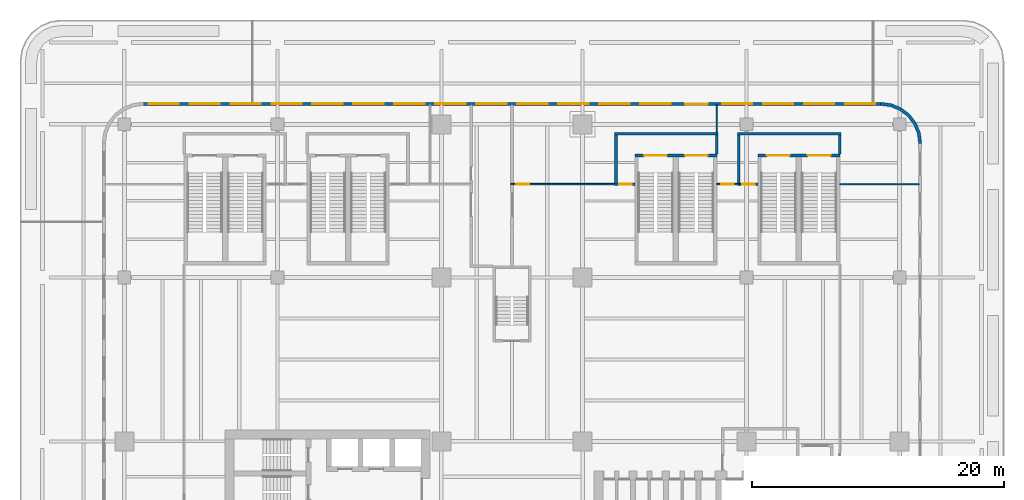
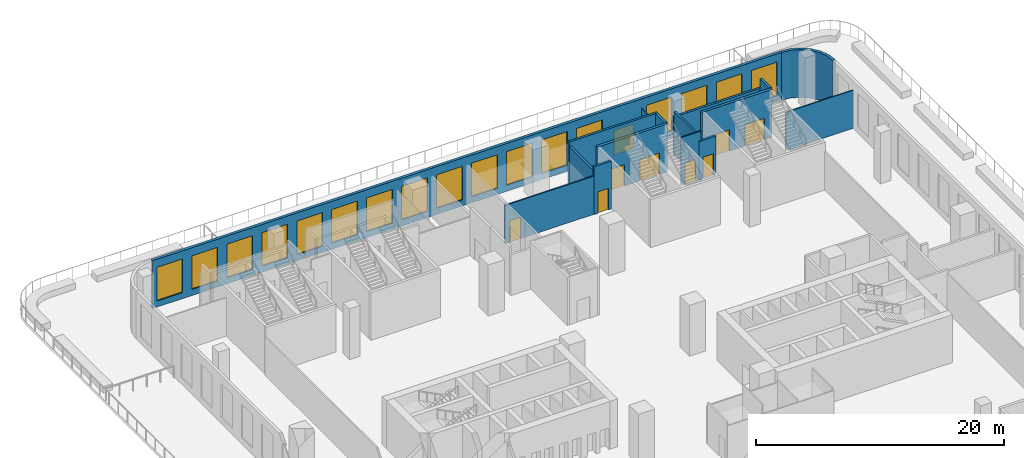
# One storey, part 13 of 17: 17 windows, 16 walls, 9 doors, 26 openings.
"""IFC4 building model written with IfcOpenShell, lengths in metres."""

from ifc_helpers import new_model, si_unit, direction, frame, frame_2d, origin, place, context, subcontext, project, spatial, polyline, rectangle, outline, extrude, source, transform, mapped, material, layer, layer_set, type_object, element, fill, save


model = new_model("IFC4")

# Units and contexts
model_context = context("Model", 3, precision=1e-05, world=origin(), true_north=direction((0.0, 1.0)))
body_context = subcontext(model_context, "Body", "Model", "MODEL_VIEW")
ifc_project = project(units=[si_unit("LENGTHUNIT", "METRE"), si_unit("AREAUNIT", "SQUARE_METRE"), si_unit("VOLUMEUNIT", "CUBIC_METRE"), si_unit("PLANEANGLEUNIT", "RADIAN"), si_unit("MASSUNIT", "GRAM", prefix="KILO")], contexts=[model_context])

# Site, building, storey
site_placement = place(None, origin())
site = spatial("IfcSite", under=ifc_project, at=site_placement, CompositionType="ELEMENT")
building_placement = place(site_placement, origin())
building = spatial("IfcBuilding", under=site, at=building_placement, Name="Trellis Farm Tower", CompositionType="ELEMENT")
storey_placement = place(building_placement, frame((0.0, 0.0, 24.0)))
storey = spatial("IfcBuildingStorey", under=building, at=storey_placement, Name="L04", CompositionType="ELEMENT", Elevation=24.0)

# Wall
ifc_material_1 = material(Name="Sandstone faced insulated wall", Category="masonry")
ifc_layer_1 = layer(ifc_material_1, 0.25)
ifc_layer_set_1 = layer_set([ifc_layer_1], Name="STONE CLAD EXTERNAL WALL 250")
wall_type_1 = type_object("IfcWallType", Name="STONE CLAD EXTERNAL WALL 250", PredefinedType="SOLIDWALL", material=ifc_layer_set_1)
wall_1_placement = place(storey_placement, origin())
element("IfcWall", 1, at=wall_1_placement, inside=storey, type_object=wall_type_1, Name="EW5 C01", PredefinedType="SOLIDWALL", context=body_context, shape_type="SweptSolid", body=[
    extrude(outline(polyline([(32.5, 29.25), (32.38916015625, 30.091064453125), (32.064697265625, 30.875), (31.548095703125, 31.548095703125), (30.875, 32.064697265625), (30.091064453125, 32.38916015625), (29.25, 32.5), (29.233642578125, 32.25), (30.02587890625, 32.145751953125), (30.7490234375, 31.84619140625), (31.369873046875, 31.369873046875), (31.84619140625, 30.7490234375), (32.145751953125, 30.02587890625), (32.25, 29.233642578125), (32.5, 29.25)])), origin(), (0.0, 0.0, 1.0), 4.699951171875),
])

# Wall, openings, doors
ifc_material_2 = material(Name="Concrete C80/95", Category="concrete")
ifc_layer_2 = layer(ifc_material_2, 0.25)
ifc_layer_set_2 = layer_set([ifc_layer_2], Name="CORE STAIR ENCLOSURE WALL 250 CONCRETE C80/95")
wall_type_2 = type_object("IfcWallType", Name="CORE STAIR ENCLOSURE WALL 250 CONCRETE C80/95", PredefinedType="SHEAR", material=ifc_layer_set_2)
shared_shape_1 = source(origin(), body_context, "Body", "SweptSolid", [
    extrude(rectangle(XDim=6.5, YDim=0.25, at=frame_2d((3.25, 0.0))), origin(), (0.0, 0.0, 1.0), 4.699951171875),
])
wall_2_placement = place(storey_placement, frame((9.75, 28.27490234375, 0.0), z_axis=(0.0, 0.0, 1.0), x_axis=(1.0, 0.0, 0.0)))
wall_2 = element("IfcWall", 2, at=wall_2_placement, inside=storey, type_object=wall_type_2, Name="Podium stair enclosure wall", PredefinedType="SHEAR", context=body_context, shape_type="MappedRepresentation", body=[
    mapped(shared_shape_1, transform((0.0, 0.0, 0.0))),
])
shared_shape_2 = source(origin(), body_context, "Body", "SweptSolid", [
    extrude(rectangle(XDim=1.800048828125, YDim=2.10009765625, at=frame_2d((0.89990234375, 1.050048828125))), frame((0.0, 0.135009765625, 0.0), z_axis=(0.0, -1.0, 0.0), x_axis=(1.0, 0.0, 0.0)), (0.0, 0.0, 1.0), 0.27001953125),
])
opening_1_placement = place(wall_2_placement, frame((0.72509765625, 0.0, 0.0)))
opening_1 = element("IfcOpeningElement", 3, at=opening_1_placement, cuts=wall_2, Name="Opening DP5", PredefinedType="OPENING", context=body_context, shape_type="MappedRepresentation", body=[
    mapped(shared_shape_2, transform((0.0, 0.0, 0.0))),
])
opening_2_placement = place(wall_2_placement, frame((3.97509765625, 0.0, 0.0)))
opening_2 = element("IfcOpeningElement", 4, at=opening_2_placement, cuts=wall_2, Name="Opening DP6", PredefinedType="OPENING", context=body_context, shape_type="MappedRepresentation", body=[
    mapped(shared_shape_2, transform((0.0, 0.0, 0.0))),
])
ifc_material_3 = material(Name="Steel", Category="steel")
door_type_1 = type_object("IfcDoorType", Name="CORE FIRE DOOR DOUBLE 1800 X 2100", OperationType="DOUBLE_DOOR_SINGLE_SWING", PredefinedType="DOOR", material=ifc_material_3)
shared_shape_3 = source(origin(), body_context, "Body", "SweptSolid", [
    extrude(rectangle(XDim=1.800048828125, YDim=2.10009765625, at=frame_2d((0.89990234375, 1.050048828125))), frame((0.0, 0.02490234375, 0.0), z_axis=(0.0, -1.0, 0.0), x_axis=(1.0, 0.0, 0.0)), (0.0, 0.0, 1.0), 0.050048828125),
])
door_1_placement = place(opening_1_placement, origin())
door_1 = element("IfcDoor", 5, at=door_1_placement, inside=storey, type_object=door_type_1, Name="Podium stair door", OperationType="DOUBLE_DOOR_SINGLE_SWING", OverallHeight=2.10009765625, OverallWidth=1.800048828125, PredefinedType="DOOR", context=body_context, shape_type="MappedRepresentation", body=[
    mapped(shared_shape_3, transform((0.0, 0.0, 0.0))),
])
fill(opening_1, door_1)
door_2_placement = place(opening_2_placement, origin())
door_2 = element("IfcDoor", 6, at=door_2_placement, inside=storey, type_object=door_type_1, Name="Podium stair door", OperationType="DOUBLE_DOOR_SINGLE_SWING", OverallHeight=2.10009765625, OverallWidth=1.800048828125, PredefinedType="DOOR", context=body_context, shape_type="MappedRepresentation", body=[
    mapped(shared_shape_3, transform((0.0, 0.0, 0.0))),
])
fill(opening_2, door_2)

wall_3_placement = place(storey_placement, frame((19.5, 28.27490234375, 0.0), z_axis=(0.0, 0.0, 1.0), x_axis=(1.0, 0.0, 0.0)))
wall_3 = element("IfcWall", 7, at=wall_3_placement, inside=storey, type_object=wall_type_2, Name="Podium stair enclosure wall", PredefinedType="SHEAR", context=body_context, shape_type="MappedRepresentation", body=[
    mapped(shared_shape_1, transform((0.0, 0.0, 0.0))),
])
opening_3_placement = place(wall_3_placement, frame((0.72509765625, 0.0, 0.0)))
opening_3 = element("IfcOpeningElement", 8, at=opening_3_placement, cuts=wall_3, Name="Opening DP7", PredefinedType="OPENING", context=body_context, shape_type="MappedRepresentation", body=[
    mapped(shared_shape_2, transform((0.0, 0.0, 0.0))),
])
opening_4_placement = place(wall_3_placement, frame((3.97509765625, 0.0, 0.0)))
opening_4 = element("IfcOpeningElement", 9, at=opening_4_placement, cuts=wall_3, Name="Opening DP8", PredefinedType="OPENING", context=body_context, shape_type="MappedRepresentation", body=[
    mapped(shared_shape_2, transform((0.0, 0.0, 0.0))),
])
door_3_placement = place(opening_3_placement, origin())
door_3 = element("IfcDoor", 10, at=door_3_placement, inside=storey, type_object=door_type_1, Name="Podium stair door", OperationType="DOUBLE_DOOR_SINGLE_SWING", OverallHeight=2.10009765625, OverallWidth=1.800048828125, PredefinedType="DOOR", context=body_context, shape_type="MappedRepresentation", body=[
    mapped(shared_shape_3, transform((0.0, 0.0, 0.0))),
])
fill(opening_3, door_3)
door_4_placement = place(opening_4_placement, origin())
door_4 = element("IfcDoor", 11, at=door_4_placement, inside=storey, type_object=door_type_1, Name="Podium stair door", OperationType="DOUBLE_DOOR_SINGLE_SWING", OverallHeight=2.10009765625, OverallWidth=1.800048828125, PredefinedType="DOOR", context=body_context, shape_type="MappedRepresentation", body=[
    mapped(shared_shape_3, transform((0.0, 0.0, 0.0))),
])
fill(opening_4, door_4)

# Wall, openings, door, windows
shared_shape_4 = source(origin(), body_context, "Body", "SweptSolid", [
    extrude(rectangle(XDim=58.5, YDim=0.25, at=frame_2d((29.25, 0.0))), origin(), (0.0, 0.0, 1.0), 4.699951171875),
])
wall_4_placement = place(storey_placement, frame((29.25, 32.375, 0.0), z_axis=(0.0, 0.0, 1.0), x_axis=(-1.0, 0.0, 0.0)))
wall_4 = element("IfcWall", 12, at=wall_4_placement, inside=storey, type_object=wall_type_1, Name="EW5 F02", PredefinedType="SOLIDWALL", context=body_context, shape_type="MappedRepresentation", body=[
    mapped(shared_shape_4, transform((0.0, 0.0, 0.0))),
])
shared_shape_5 = source(origin(), body_context, "Body", "SweptSolid", [
    extrude(rectangle(XDim=2.39990234375, YDim=3.300048828125, at=frame_2d((1.199951171875, 1.64990234375))), frame((0.0, 0.135009765625, 0.0), z_axis=(0.0, -1.0, 0.0), x_axis=(1.0, 0.0, 0.0)), (0.0, 0.0, 1.0), 0.27001953125),
])
opening_5_placement = place(wall_4_placement, frame((0.425048828125, 0.0, 0.60009765625)))
opening_5 = element("IfcOpeningElement", 13, at=opening_5_placement, cuts=wall_4, Name="Opening WN3", PredefinedType="OPENING", context=body_context, shape_type="MappedRepresentation", body=[
    mapped(shared_shape_5, transform((0.0, 0.0, 0.0))),
])
opening_6_placement = place(wall_4_placement, frame((3.675048828125, 0.0, 0.60009765625)))
opening_6 = element("IfcOpeningElement", 14, at=opening_6_placement, cuts=wall_4, Name="Opening WN3", PredefinedType="OPENING", context=body_context, shape_type="MappedRepresentation", body=[
    mapped(shared_shape_5, transform((0.0, 0.0, 0.0))),
])
opening_7_placement = place(wall_4_placement, frame((6.925048828125, 0.0, 0.60009765625)))
opening_7 = element("IfcOpeningElement", 15, at=opening_7_placement, cuts=wall_4, Name="Opening WN3", PredefinedType="OPENING", context=body_context, shape_type="MappedRepresentation", body=[
    mapped(shared_shape_5, transform((0.0, 0.0, 0.0))),
])
opening_8_placement = place(wall_4_placement, frame((10.175048828125, 0.0, 0.60009765625)))
opening_8 = element("IfcOpeningElement", 16, at=opening_8_placement, cuts=wall_4, Name="Opening WN3", PredefinedType="OPENING", context=body_context, shape_type="MappedRepresentation", body=[
    mapped(shared_shape_5, transform((0.0, 0.0, 0.0))),
])
shared_shape_6 = source(origin(), body_context, "Body", "SweptSolid", [
    extrude(rectangle(XDim=1.800048828125, YDim=2.39990234375, at=frame_2d((0.89990234375, 1.199951171875))), frame((0.0, 0.135009765625, 0.0), z_axis=(0.0, -1.0, 0.0), x_axis=(1.0, 0.0, 0.0)), (0.0, 0.0, 1.0), 0.27001953125),
])
opening_9_placement = place(wall_4_placement, frame((13.72509765625, 0.0, 0.0)))
opening_9 = element("IfcOpeningElement", 17, at=opening_9_placement, cuts=wall_4, Name="Opening ED1", PredefinedType="OPENING", context=body_context, shape_type="MappedRepresentation", body=[
    mapped(shared_shape_6, transform((0.0, 0.0, 0.0))),
])
opening_10_placement = place(wall_4_placement, frame((16.675048828125, 0.0, 0.60009765625)))
opening_10 = element("IfcOpeningElement", 18, at=opening_10_placement, cuts=wall_4, Name="Opening WN3", PredefinedType="OPENING", context=body_context, shape_type="MappedRepresentation", body=[
    mapped(shared_shape_5, transform((0.0, 0.0, 0.0))),
])
opening_11_placement = place(wall_4_placement, frame((19.925048828125, 0.0, 0.60009765625)))
opening_11 = element("IfcOpeningElement", 19, at=opening_11_placement, cuts=wall_4, Name="Opening WN3", PredefinedType="OPENING", context=body_context, shape_type="MappedRepresentation", body=[
    mapped(shared_shape_5, transform((0.0, 0.0, 0.0))),
])
opening_12_placement = place(wall_4_placement, frame((23.175048828125, 0.0, 0.60009765625)))
opening_12 = element("IfcOpeningElement", 20, at=opening_12_placement, cuts=wall_4, Name="Opening WN3", PredefinedType="OPENING", context=body_context, shape_type="MappedRepresentation", body=[
    mapped(shared_shape_5, transform((0.0, 0.0, 0.0))),
])
opening_13_placement = place(wall_4_placement, frame((26.425048828125, 0.0, 0.60009765625)))
opening_13 = element("IfcOpeningElement", 21, at=opening_13_placement, cuts=wall_4, Name="Opening WN3", PredefinedType="OPENING", context=body_context, shape_type="MappedRepresentation", body=[
    mapped(shared_shape_5, transform((0.0, 0.0, 0.0))),
])
opening_14_placement = place(wall_4_placement, frame((29.675048828125, 0.0, 0.60009765625)))
opening_14 = element("IfcOpeningElement", 22, at=opening_14_placement, cuts=wall_4, Name="Opening WN3", PredefinedType="OPENING", context=body_context, shape_type="MappedRepresentation", body=[
    mapped(shared_shape_5, transform((0.0, 0.0, 0.0))),
])
opening_15_placement = place(wall_4_placement, frame((32.925048828125, 0.0, 0.60009765625)))
opening_15 = element("IfcOpeningElement", 23, at=opening_15_placement, cuts=wall_4, Name="Opening WN3", PredefinedType="OPENING", context=body_context, shape_type="MappedRepresentation", body=[
    mapped(shared_shape_5, transform((0.0, 0.0, 0.0))),
])
opening_16_placement = place(wall_4_placement, frame((36.175048828125, 0.0, 0.60009765625)))
opening_16 = element("IfcOpeningElement", 24, at=opening_16_placement, cuts=wall_4, Name="Opening WN3", PredefinedType="OPENING", context=body_context, shape_type="MappedRepresentation", body=[
    mapped(shared_shape_5, transform((0.0, 0.0, 0.0))),
])
opening_17_placement = place(wall_4_placement, frame((39.425048828125, 0.0, 0.60009765625)))
opening_17 = element("IfcOpeningElement", 25, at=opening_17_placement, cuts=wall_4, Name="Opening WN3", PredefinedType="OPENING", context=body_context, shape_type="MappedRepresentation", body=[
    mapped(shared_shape_5, transform((0.0, 0.0, 0.0))),
])
opening_18_placement = place(wall_4_placement, frame((42.675048828125, 0.0, 0.60009765625)))
opening_18 = element("IfcOpeningElement", 26, at=opening_18_placement, cuts=wall_4, Name="Opening WN3", PredefinedType="OPENING", context=body_context, shape_type="MappedRepresentation", body=[
    mapped(shared_shape_5, transform((0.0, 0.0, 0.0))),
])
opening_19_placement = place(wall_4_placement, frame((45.925048828125, 0.0, 0.60009765625)))
opening_19 = element("IfcOpeningElement", 27, at=opening_19_placement, cuts=wall_4, Name="Opening WN3", PredefinedType="OPENING", context=body_context, shape_type="MappedRepresentation", body=[
    mapped(shared_shape_5, transform((0.0, 0.0, 0.0))),
])
opening_20_placement = place(wall_4_placement, frame((49.175048828125, 0.0, 0.60009765625)))
opening_20 = element("IfcOpeningElement", 28, at=opening_20_placement, cuts=wall_4, Name="Opening WN3", PredefinedType="OPENING", context=body_context, shape_type="MappedRepresentation", body=[
    mapped(shared_shape_5, transform((0.0, 0.0, 0.0))),
])
opening_21_placement = place(wall_4_placement, frame((52.425048828125, 0.0, 0.60009765625)))
opening_21 = element("IfcOpeningElement", 29, at=opening_21_placement, cuts=wall_4, Name="Opening WN3", PredefinedType="OPENING", context=body_context, shape_type="MappedRepresentation", body=[
    mapped(shared_shape_5, transform((0.0, 0.0, 0.0))),
])
opening_22_placement = place(wall_4_placement, frame((55.675048828125, 0.0, 0.60009765625)))
opening_22 = element("IfcOpeningElement", 30, at=opening_22_placement, cuts=wall_4, Name="Opening WN3", PredefinedType="OPENING", context=body_context, shape_type="MappedRepresentation", body=[
    mapped(shared_shape_5, transform((0.0, 0.0, 0.0))),
])
ifc_material_4 = material(Name="Aluminium framed glazed door", Category="aluminium")
door_type_2 = type_object("IfcDoorType", Name="BALCONY DOOR 1800x2400", OperationType="DOUBLE_DOOR_SINGLE_SWING", PredefinedType="DOOR", material=ifc_material_4)
shared_shape_7 = source(origin(), body_context, "Body", "SweptSolid", [
    extrude(rectangle(XDim=1.800048828125, YDim=2.39990234375, at=frame_2d((0.89990234375, 1.199951171875))), frame((0.0, 0.02490234375, 0.0), z_axis=(0.0, -1.0, 0.0), x_axis=(1.0, 0.0, 0.0)), (0.0, 0.0, 1.0), 0.050048828125),
])
door_5_placement = place(opening_9_placement, origin())
door_5 = element("IfcDoor", 31, at=door_5_placement, inside=storey, type_object=door_type_2, Name="Balcony door", OperationType="DOUBLE_DOOR_SINGLE_SWING", OverallHeight=2.39990234375, OverallWidth=1.800048828125, PredefinedType="DOOR", context=body_context, shape_type="MappedRepresentation", body=[
    mapped(shared_shape_7, transform((0.0, 0.0, 0.0))),
])
fill(opening_9, door_5)
ifc_material_5 = material(Name="Clear insulated glass", Category="glass")
window_type = type_object("IfcWindowType", Name="PODIUM WINDOW 2400x3300", PartitioningType="SINGLE_PANEL", PredefinedType="WINDOW", material=ifc_material_5)
shared_shape_8 = source(origin(), body_context, "Body", "SweptSolid", [
    extrude(rectangle(XDim=2.39990234375, YDim=3.300048828125, at=frame_2d((1.199951171875, 1.64990234375))), frame((0.0, 0.030029296875, 0.0), z_axis=(0.0, -1.0, 0.0), x_axis=(1.0, 0.0, 0.0)), (0.0, 0.0, 1.0), 0.06005859375),
])
window_1_placement = place(opening_5_placement, origin())
window_1 = element("IfcWindow", 32, at=window_1_placement, inside=storey, type_object=window_type, Name="WN3 019", OverallHeight=3.300048828125, OverallWidth=2.39990234375, PartitioningType="SINGLE_PANEL", PredefinedType="WINDOW", context=body_context, shape_type="MappedRepresentation", body=[
    mapped(shared_shape_8, transform((0.0, 0.0, 0.0))),
])
fill(opening_5, window_1)
window_2_placement = place(opening_6_placement, origin())
window_2 = element("IfcWindow", 33, at=window_2_placement, inside=storey, type_object=window_type, Name="WN3 020", OverallHeight=3.300048828125, OverallWidth=2.39990234375, PartitioningType="SINGLE_PANEL", PredefinedType="WINDOW", context=body_context, shape_type="MappedRepresentation", body=[
    mapped(shared_shape_8, transform((0.0, 0.0, 0.0))),
])
fill(opening_6, window_2)
window_3_placement = place(opening_7_placement, origin())
window_3 = element("IfcWindow", 34, at=window_3_placement, inside=storey, type_object=window_type, Name="WN3 021", OverallHeight=3.300048828125, OverallWidth=2.39990234375, PartitioningType="SINGLE_PANEL", PredefinedType="WINDOW", context=body_context, shape_type="MappedRepresentation", body=[
    mapped(shared_shape_8, transform((0.0, 0.0, 0.0))),
])
fill(opening_7, window_3)
window_4_placement = place(opening_8_placement, origin())
window_4 = element("IfcWindow", 35, at=window_4_placement, inside=storey, type_object=window_type, Name="WN3 022", OverallHeight=3.300048828125, OverallWidth=2.39990234375, PartitioningType="SINGLE_PANEL", PredefinedType="WINDOW", context=body_context, shape_type="MappedRepresentation", body=[
    mapped(shared_shape_8, transform((0.0, 0.0, 0.0))),
])
fill(opening_8, window_4)
window_5_placement = place(opening_10_placement, origin())
window_5 = element("IfcWindow", 36, at=window_5_placement, inside=storey, type_object=window_type, Name="WN3 023", OverallHeight=3.300048828125, OverallWidth=2.39990234375, PartitioningType="SINGLE_PANEL", PredefinedType="WINDOW", context=body_context, shape_type="MappedRepresentation", body=[
    mapped(shared_shape_8, transform((0.0, 0.0, 0.0))),
])
fill(opening_10, window_5)
window_6_placement = place(opening_11_placement, origin())
window_6 = element("IfcWindow", 37, at=window_6_placement, inside=storey, type_object=window_type, Name="WN3 024", OverallHeight=3.300048828125, OverallWidth=2.39990234375, PartitioningType="SINGLE_PANEL", PredefinedType="WINDOW", context=body_context, shape_type="MappedRepresentation", body=[
    mapped(shared_shape_8, transform((0.0, 0.0, 0.0))),
])
fill(opening_11, window_6)
window_7_placement = place(opening_12_placement, origin())
window_7 = element("IfcWindow", 38, at=window_7_placement, inside=storey, type_object=window_type, Name="WN3 025", OverallHeight=3.300048828125, OverallWidth=2.39990234375, PartitioningType="SINGLE_PANEL", PredefinedType="WINDOW", context=body_context, shape_type="MappedRepresentation", body=[
    mapped(shared_shape_8, transform((0.0, 0.0, 0.0))),
])
fill(opening_12, window_7)
window_8_placement = place(opening_13_placement, origin())
window_8 = element("IfcWindow", 39, at=window_8_placement, inside=storey, type_object=window_type, Name="WN3 026", OverallHeight=3.300048828125, OverallWidth=2.39990234375, PartitioningType="SINGLE_PANEL", PredefinedType="WINDOW", context=body_context, shape_type="MappedRepresentation", body=[
    mapped(shared_shape_8, transform((0.0, 0.0, 0.0))),
])
fill(opening_13, window_8)
window_9_placement = place(opening_14_placement, origin())
window_9 = element("IfcWindow", 40, at=window_9_placement, inside=storey, type_object=window_type, Name="WN3 027", OverallHeight=3.300048828125, OverallWidth=2.39990234375, PartitioningType="SINGLE_PANEL", PredefinedType="WINDOW", context=body_context, shape_type="MappedRepresentation", body=[
    mapped(shared_shape_8, transform((0.0, 0.0, 0.0))),
])
fill(opening_14, window_9)
window_10_placement = place(opening_15_placement, origin())
window_10 = element("IfcWindow", 41, at=window_10_placement, inside=storey, type_object=window_type, Name="WN3 028", OverallHeight=3.300048828125, OverallWidth=2.39990234375, PartitioningType="SINGLE_PANEL", PredefinedType="WINDOW", context=body_context, shape_type="MappedRepresentation", body=[
    mapped(shared_shape_8, transform((0.0, 0.0, 0.0))),
])
fill(opening_15, window_10)
window_11_placement = place(opening_16_placement, origin())
window_11 = element("IfcWindow", 42, at=window_11_placement, inside=storey, type_object=window_type, Name="WN3 029", OverallHeight=3.300048828125, OverallWidth=2.39990234375, PartitioningType="SINGLE_PANEL", PredefinedType="WINDOW", context=body_context, shape_type="MappedRepresentation", body=[
    mapped(shared_shape_8, transform((0.0, 0.0, 0.0))),
])
fill(opening_16, window_11)
window_12_placement = place(opening_17_placement, origin())
window_12 = element("IfcWindow", 43, at=window_12_placement, inside=storey, type_object=window_type, Name="WN3 030", OverallHeight=3.300048828125, OverallWidth=2.39990234375, PartitioningType="SINGLE_PANEL", PredefinedType="WINDOW", context=body_context, shape_type="MappedRepresentation", body=[
    mapped(shared_shape_8, transform((0.0, 0.0, 0.0))),
])
fill(opening_17, window_12)
window_13_placement = place(opening_18_placement, origin())
window_13 = element("IfcWindow", 44, at=window_13_placement, inside=storey, type_object=window_type, Name="WN3 031", OverallHeight=3.300048828125, OverallWidth=2.39990234375, PartitioningType="SINGLE_PANEL", PredefinedType="WINDOW", context=body_context, shape_type="MappedRepresentation", body=[
    mapped(shared_shape_8, transform((0.0, 0.0, 0.0))),
])
fill(opening_18, window_13)
window_14_placement = place(opening_19_placement, origin())
window_14 = element("IfcWindow", 45, at=window_14_placement, inside=storey, type_object=window_type, Name="WN3 032", OverallHeight=3.300048828125, OverallWidth=2.39990234375, PartitioningType="SINGLE_PANEL", PredefinedType="WINDOW", context=body_context, shape_type="MappedRepresentation", body=[
    mapped(shared_shape_8, transform((0.0, 0.0, 0.0))),
])
fill(opening_19, window_14)
window_15_placement = place(opening_20_placement, origin())
window_15 = element("IfcWindow", 46, at=window_15_placement, inside=storey, type_object=window_type, Name="WN3 033", OverallHeight=3.300048828125, OverallWidth=2.39990234375, PartitioningType="SINGLE_PANEL", PredefinedType="WINDOW", context=body_context, shape_type="MappedRepresentation", body=[
    mapped(shared_shape_8, transform((0.0, 0.0, 0.0))),
])
fill(opening_20, window_15)
window_16_placement = place(opening_21_placement, origin())
window_16 = element("IfcWindow", 47, at=window_16_placement, inside=storey, type_object=window_type, Name="WN3 034", OverallHeight=3.300048828125, OverallWidth=2.39990234375, PartitioningType="SINGLE_PANEL", PredefinedType="WINDOW", context=body_context, shape_type="MappedRepresentation", body=[
    mapped(shared_shape_8, transform((0.0, 0.0, 0.0))),
])
fill(opening_21, window_16)
window_17_placement = place(opening_22_placement, origin())
window_17 = element("IfcWindow", 48, at=window_17_placement, inside=storey, type_object=window_type, Name="WN3 035", OverallHeight=3.300048828125, OverallWidth=2.39990234375, PartitioningType="SINGLE_PANEL", PredefinedType="WINDOW", context=body_context, shape_type="MappedRepresentation", body=[
    mapped(shared_shape_8, transform((0.0, 0.0, 0.0))),
])
fill(opening_22, window_17)

# Walls
ifc_material_6 = material(Name="Lightweight blockwork, plastered", Category="masonry")
ifc_layer_3 = layer(ifc_material_6, 0.199951171875)
ifc_layer_set_3 = layer_set([ifc_layer_3], Name="BLOCK WALL 200 EI 120")
wall_type_3 = type_object("IfcWallType", Name="BLOCK WALL 200 EI 120", PredefinedType="PARTITIONING", material=ifc_layer_set_3)
shared_shape_9 = source(origin(), body_context, "Body", "SweptSolid", [
    extrude(rectangle(XDim=8.2001953125, YDim=0.199951171875, at=frame_2d((4.10009765625, 0.0))), origin(), (0.0, 0.0, 1.0), 4.699951171875),
])
wall_5_placement = place(storey_placement, frame((16.35009765625, 30.0, 0.0), z_axis=(0.0, 0.0, 1.0), x_axis=(-1.0, 0.0, 0.0)))
element("IfcWall", 49, at=wall_5_placement, inside=storey, type_object=wall_type_3, Name="Partition PW3", PredefinedType="PARTITIONING", context=body_context, shape_type="MappedRepresentation", body=[
    mapped(shared_shape_9, transform((0.0, 0.0, 0.0))),
])
shared_shape_10 = source(origin(), body_context, "Body", "SweptSolid", [
    extrude(rectangle(XDim=8.2001953125, YDim=0.199951171875, at=frame_2d((4.10009765625, 0.0))), origin(), (0.0, 0.0, 1.0), 3.76171875),
])
wall_6_placement = place(storey_placement, frame((26.10009765625, 30.0, 0.0), z_axis=(0.0, 0.0, 1.0), x_axis=(-1.0, 0.0, 0.0)))
element("IfcWall", 50, at=wall_6_placement, inside=storey, type_object=wall_type_3, Name="Partition PW3", PredefinedType="PARTITIONING", context=body_context, shape_type="MappedRepresentation", body=[
    mapped(shared_shape_10, transform((0.0, 0.0, 0.0))),
])

# Wall, opening, door
shared_shape_11 = source(origin(), body_context, "Body", "SweptSolid", [
    extrude(rectangle(XDim=1.60009765625, YDim=0.199951171875, at=frame_2d((0.800048828125, 0.0))), origin(), (0.0, 0.0, 1.0), 4.699951171875),
])
wall_7_placement = place(storey_placement, frame((9.75, 26.0, 0.0), z_axis=(0.0, 0.0, 1.0), x_axis=(-1.0, 0.0, 0.0)))
wall_7 = element("IfcWall", 51, at=wall_7_placement, inside=storey, type_object=wall_type_3, Name="Partition PW3", PredefinedType="PARTITIONING", context=body_context, shape_type="MappedRepresentation", body=[
    mapped(shared_shape_11, transform((0.0, 0.0, 0.0))),
])
shared_shape_12 = source(origin(), body_context, "Body", "SweptSolid", [
    extrude(rectangle(XDim=1.0, YDim=2.10009765625, at=frame_2d((0.5, 1.050048828125))), frame((0.0, 0.110107421875, 0.0), z_axis=(0.0, -1.0, 0.0), x_axis=(1.0, 0.0, 0.0)), (0.0, 0.0, 1.0), 0.22021484375),
])
opening_23_placement = place(wall_7_placement, frame((0.25, 0.0, 0.0)))
opening_23 = element("IfcOpeningElement", 52, at=opening_23_placement, cuts=wall_7, Name="Opening D307", PredefinedType="OPENING", context=body_context, shape_type="MappedRepresentation", body=[
    mapped(shared_shape_12, transform((0.0, 0.0, 0.0))),
])
ifc_material_7 = material(Name="Fire-rated timber door leaf in a hollow metal frame", Category="wood")
door_type_3 = type_object("IfcDoorType", Name="DOOR 1000x2100 FD60", OperationType="NOTDEFINED", PredefinedType="DOOR", material=ifc_material_7)
shared_shape_13 = source(origin(), body_context, "Body", "SweptSolid", [
    extrude(rectangle(XDim=1.0, YDim=2.10009765625, at=frame_2d((0.5, 1.050048828125))), frame((0.0, 0.02490234375, 0.0), z_axis=(0.0, -1.0, 0.0), x_axis=(1.0, 0.0, 0.0)), (0.0, 0.0, 1.0), 0.050048828125),
])
door_6_placement = place(opening_23_placement, origin())
door_6 = element("IfcDoor", 53, at=door_6_placement, inside=storey, type_object=door_type_3, Name="Door D307", OperationType="SINGLE_SWING_LEFT", OverallHeight=2.10009765625, OverallWidth=1.0, PredefinedType="DOOR", context=body_context, shape_type="MappedRepresentation", body=[
    mapped(shared_shape_13, transform((0.0, 0.0, 0.0))),
])
fill(opening_23, door_6)

shared_shape_14 = source(origin(), body_context, "Body", "SweptSolid", [
    extrude(rectangle(XDim=1.60009765625, YDim=0.199951171875, at=frame_2d((0.800048828125, 0.0))), origin(), (0.0, 0.0, 1.0), 3.76171875),
])
wall_8_placement = place(storey_placement, frame((19.5, 26.0, 0.0), z_axis=(0.0, 0.0, 1.0), x_axis=(-1.0, 0.0, 0.0)))
wall_8 = element("IfcWall", 54, at=wall_8_placement, inside=storey, type_object=wall_type_3, Name="Partition PW3", PredefinedType="PARTITIONING", context=body_context, shape_type="MappedRepresentation", body=[
    mapped(shared_shape_14, transform((0.0, 0.0, 0.0))),
])
opening_24_placement = place(wall_8_placement, frame((0.25, 0.0, 0.0)))
opening_24 = element("IfcOpeningElement", 55, at=opening_24_placement, cuts=wall_8, Name="Opening D308", PredefinedType="OPENING", context=body_context, shape_type="MappedRepresentation", body=[
    mapped(shared_shape_12, transform((0.0, 0.0, 0.0))),
])
door_7_placement = place(opening_24_placement, origin())
door_7 = element("IfcDoor", 56, at=door_7_placement, inside=storey, type_object=door_type_3, Name="Door D308", OperationType="SINGLE_SWING_LEFT", OverallHeight=2.10009765625, OverallWidth=1.0, PredefinedType="DOOR", context=body_context, shape_type="MappedRepresentation", body=[
    mapped(shared_shape_13, transform((0.0, 0.0, 0.0))),
])
fill(opening_24, door_7)

ifc_material_8 = material(Name="Plasterboard on steel studs, mineral wool", Category="steel")
ifc_layer_4 = layer(ifc_material_8, 0.125)
ifc_layer_set_4 = layer_set([ifc_layer_4], Name="PARTITION 125 STUD EI 60")
wall_type_4 = type_object("IfcWallType", Name="PARTITION 125 STUD EI 60", PredefinedType="PARTITIONING", material=ifc_layer_set_4)
shared_shape_15 = source(origin(), body_context, "Body", "SweptSolid", [
    extrude(rectangle(XDim=8.4501953125, YDim=0.125, at=frame_2d((4.22509765625, 0.0))), origin(), (0.0, 0.0, 1.0), 3.76171875),
])
wall_9_placement = place(storey_placement, frame((-0.10009765625, 26.0, 0.0), z_axis=(0.0, 0.0, 1.0), x_axis=(1.0, 0.0, 0.0)))
wall_9 = element("IfcWall", 57, at=wall_9_placement, inside=storey, type_object=wall_type_4, Name="Partition PW1", PredefinedType="PARTITIONING", context=body_context, shape_type="MappedRepresentation", body=[
    mapped(shared_shape_15, transform((0.0, 0.0, 0.0))),
])
shared_shape_16 = source(origin(), body_context, "Body", "SweptSolid", [
    extrude(rectangle(XDim=1.0, YDim=2.10009765625, at=frame_2d((0.5, 1.050048828125))), frame((0.0, 0.072509765625, 0.0), z_axis=(0.0, -1.0, 0.0), x_axis=(1.0, 0.0, 0.0)), (0.0, 0.0, 1.0), 0.14501953125),
])
opening_25_placement = place(wall_9_placement, frame((0.449951171875, 0.0, 0.0)))
opening_25 = element("IfcOpeningElement", 58, at=opening_25_placement, cuts=wall_9, Name="Opening D107", PredefinedType="OPENING", context=body_context, shape_type="MappedRepresentation", body=[
    mapped(shared_shape_16, transform((0.0, 0.0, 0.0))),
])
door_type_4 = type_object("IfcDoorType", Name="DOOR 1000x2100 FD30S", OperationType="NOTDEFINED", PredefinedType="DOOR", material=ifc_material_7)
door_8_placement = place(opening_25_placement, origin())
door_8 = element("IfcDoor", 59, at=door_8_placement, inside=storey, type_object=door_type_4, Name="Door D107", OperationType="SINGLE_SWING_LEFT", OverallHeight=2.10009765625, OverallWidth=1.0, PredefinedType="DOOR", context=body_context, shape_type="MappedRepresentation", body=[
    mapped(shared_shape_13, transform((0.0, 0.0, 0.0))),
])
fill(opening_25, door_8)

# Walls
shared_shape_17 = source(origin(), body_context, "Body", "SweptSolid", [
    extrude(rectangle(XDim=1.5, YDim=0.199951171875, at=frame_2d((0.75, 0.0))), origin(), (0.0, 0.0, 1.0), 4.699951171875),
])
for number, where, z_axis, x_axis, name in (
    (60, (16.25, 29.89990234375, 0.0), (0.0, 0.0, 1.0), (0.0, -1.0, 0.0), "Partition PW3"),
    (61, (26.0, 29.89990234375, 0.0), (0.0, 0.0, 1.0), (0.0, -1.0, 0.0), "Partition PW3"),
):
    element("IfcWall", number, at=place(storey_placement, frame(where, z_axis=z_axis, x_axis=x_axis)), inside=storey, type_object=wall_type_3, Name=name, PredefinedType="PARTITIONING", context=body_context, shape_type="MappedRepresentation", body=[
        mapped(shared_shape_17, transform((0.0, 0.0, 0.0))),
    ])
shared_shape_18 = source(origin(), body_context, "Body", "SweptSolid", [
    extrude(rectangle(XDim=3.7998046875, YDim=0.199951171875, at=frame_2d((1.89990234375, 0.0))), origin(), (0.0, 0.0, 1.0), 4.273681640625),
])
for number, where, z_axis, x_axis, name in (
    (62, (8.25, 26.10009765625, 0.0), (0.0, 0.0, 1.0), (0.0, 1.0, 0.0), "Partition PW3"),
    (63, (18.0, 29.89990234375, 0.0), (0.0, 0.0, 1.0), (0.0, -1.0, 0.0), "Partition PW3"),
):
    element("IfcWall", number, at=place(storey_placement, frame(where, z_axis=z_axis, x_axis=x_axis)), inside=storey, type_object=wall_type_3, Name=name, PredefinedType="PARTITIONING", context=body_context, shape_type="MappedRepresentation", body=[
        mapped(shared_shape_18, transform((0.0, 0.0, 0.0))),
    ])
ifc_material_9 = material(Name="Plasterboard on steel studs", Category="steel")
ifc_layer_5 = layer(ifc_material_9, 0.10009765625)
ifc_layer_set_5 = layer_set([ifc_layer_5], Name="PARTITION 100 STUD EI 30")
wall_type_5 = type_object("IfcWallType", Name="PARTITION 100 STUD EI 30", PredefinedType="PARTITIONING", material=ifc_layer_set_5)
shared_shape_19 = source(origin(), body_context, "Body", "SweptSolid", [
    extrude(rectangle(XDim=2.199951171875, YDim=0.10009765625, at=frame_2d((1.10009765625, 0.0))), origin(), (0.0, 0.0, 1.0), 3.76171875),
])
wall_10_placement = place(storey_placement, frame((16.25, 30.10009765625, 0.0), z_axis=(0.0, 0.0, 1.0), x_axis=(0.0, 1.0, 0.0)))
element("IfcWall", 64, at=wall_10_placement, inside=storey, type_object=wall_type_5, Name="Partition PW2", PredefinedType="PARTITIONING", context=body_context, shape_type="MappedRepresentation", body=[
    mapped(shared_shape_19, transform((0.0, 0.0, 0.0))),
])
shared_shape_20 = source(origin(), body_context, "Body", "SweptSolid", [
    extrude(rectangle(XDim=6.300048828125, YDim=0.10009765625, at=frame_2d((3.14990234375, 0.0))), origin(), (0.0, 0.0, 1.0), 3.76171875),
])
wall_11_placement = place(storey_placement, frame((26.0, 26.0, 0.0), z_axis=(0.0, 0.0, 1.0), x_axis=(1.0, 0.0, 0.0)))
element("IfcWall", 65, at=wall_11_placement, inside=storey, type_object=wall_type_5, Name="Partition PW2", PredefinedType="PARTITIONING", context=body_context, shape_type="MappedRepresentation", body=[
    mapped(shared_shape_20, transform((0.0, 0.0, 0.0))),
])

# Wall, opening, door
shared_shape_21 = source(origin(), body_context, "Body", "SweptSolid", [
    extrude(rectangle(XDim=1.85009765625, YDim=0.125, at=frame_2d((0.925048828125, 0.0))), origin(), (0.0, 0.0, 1.0), 4.699951171875),
])
wall_12_placement = place(storey_placement, frame((16.25, 26.0, 0.0), z_axis=(0.0, 0.0, 1.0), x_axis=(1.0, 0.0, 0.0)))
wall_12 = element("IfcWall", 66, at=wall_12_placement, inside=storey, type_object=wall_type_4, Name="Partition PW1", PredefinedType="PARTITIONING", context=body_context, shape_type="MappedRepresentation", body=[
    mapped(shared_shape_21, transform((0.0, 0.0, 0.0))),
])
opening_26_placement = place(wall_12_placement, frame((0.35009765625, 0.0, 0.0)))
opening_26 = element("IfcOpeningElement", 67, at=opening_26_placement, cuts=wall_12, Name="Opening D108", PredefinedType="OPENING", context=body_context, shape_type="MappedRepresentation", body=[
    mapped(shared_shape_16, transform((0.0, 0.0, 0.0))),
])
door_9_placement = place(opening_26_placement, origin())
door_9 = element("IfcDoor", 68, at=door_9_placement, inside=storey, type_object=door_type_4, Name="Door D108", OperationType="SINGLE_SWING_LEFT", OverallHeight=2.10009765625, OverallWidth=1.0, PredefinedType="DOOR", context=body_context, shape_type="MappedRepresentation", body=[
    mapped(shared_shape_13, transform((0.0, 0.0, 0.0))),
])
fill(opening_26, door_9)

save(model, "model.ifc")
